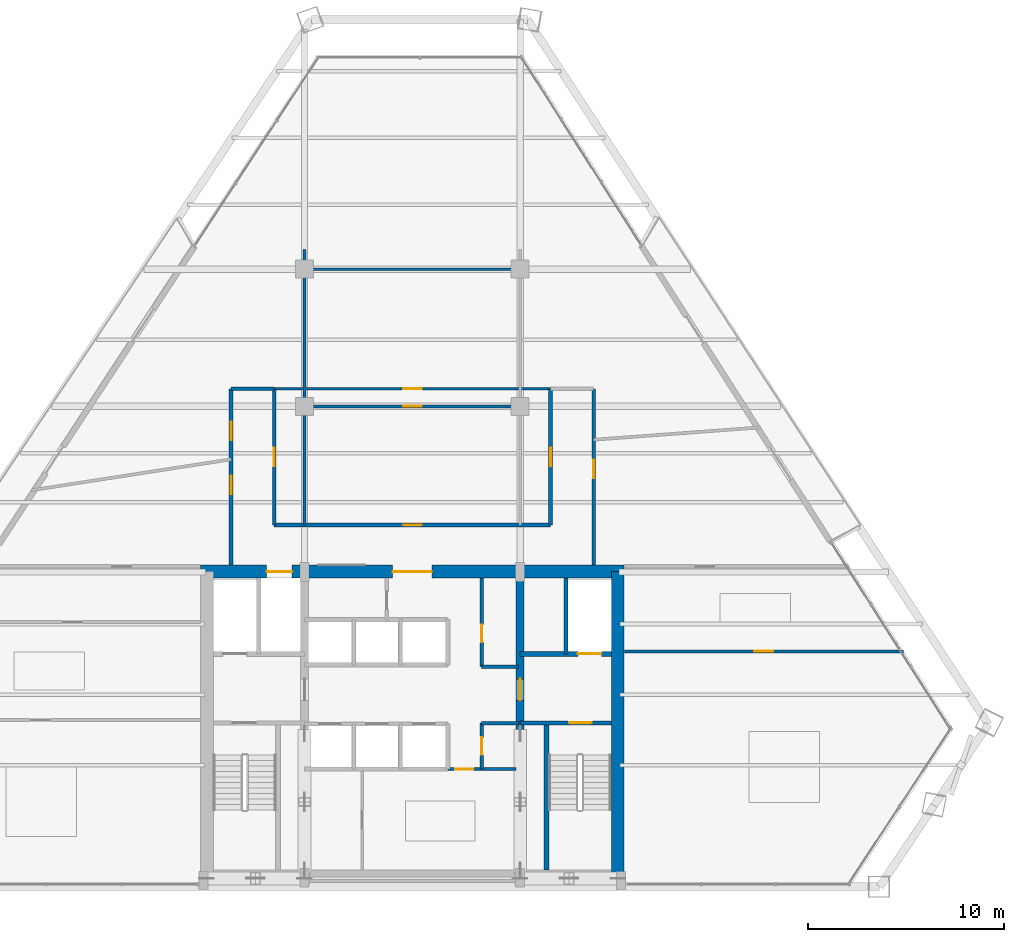
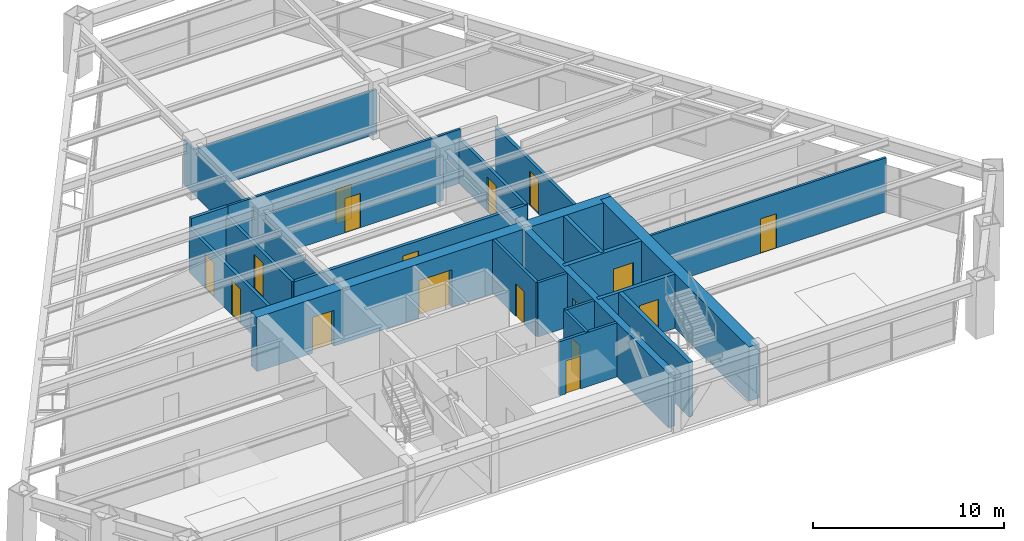
# One storey, part 11 of 14: 23 walls, 17 doors, 17 openings.
"""IFC4 building model written with IfcOpenShell, lengths in metres."""

import ifcopenshell
import ifcopenshell.guid

model = None  # the IFC model being written
_history = None  # IfcOwnerHistory: only IFC2X3 demands one
_inside = {}  # id of a spatial element -> (the spatial element, [elements in it])
_under = {}  # id of a project, library or spatial element -> (it, [spatial elements below it])
_declared = {}  # id of a project -> (the project, [libraries it declares])
_typed = {}  # id of a type object -> (the type object, [elements of that type])
_made_of = {}  # id of a material, layer set ... -> (it, [elements and type objects made of it])


def new_model(schema):
    """Start an empty IFC model of exactly this schema.

    Asked for "IFC4X3", IfcOpenShell would pick the latest addendum, in which some entities
    have other attributes; the version numbers below select the first issue.
    IFC2X3 requires an IfcOwnerHistory on every rooted entity: one is made here for all.
    """
    global model, _history
    if schema == "IFC4X3":
        model = ifcopenshell.file(schema_version=(4, 3, 0, 0))
    else:
        model = ifcopenshell.file(schema=schema)
    _inside.clear()
    _under.clear()
    _declared.clear()
    _typed.clear()
    _made_of.clear()
    _history = None
    if model.schema == "IFC2X3":
        org = make("IfcOrganization", Name="unknown")
        user = make(
            "IfcPersonAndOrganization",
            ThePerson=make("IfcPerson", FamilyName="unknown"),
            TheOrganization=org,
        )
        app = make(
            "IfcApplication",
            ApplicationDeveloper=org,
            Version="unknown",
            ApplicationFullName="unknown",
            ApplicationIdentifier="unknown",
        )
        _history = make(
            "IfcOwnerHistory",
            OwningUser=user,
            OwningApplication=app,
            ChangeAction="ADDED",
            CreationDate=0,
        )
    return model


def make(cls, **values):
    """One entity of the class cls with the attributes given. An attribute that is None is left unset."""
    return model.create_entity(
        cls, **{name: value for name, value in values.items() if value is not None}
    )


def rooted(cls, **values):
    """An entity with a GlobalId (a new one), such as an element, a storey or a relation."""
    return make(cls, GlobalId=ifcopenshell.guid.new(), OwnerHistory=_history, **values)


def si_unit(unit_type, name, prefix=None):
    """IfcSIUnit, for example si_unit("LENGTHUNIT", "METRE", prefix="MILLI")."""
    return make("IfcSIUnit", UnitType=unit_type, Prefix=prefix, Name=name)


def assignment(units):
    """IfcUnitAssignment: the units of a project."""
    return None if units is None else make("IfcUnitAssignment", Units=units)


def point(xyz):
    """IfcCartesianPoint."""
    return None if xyz is None else make("IfcCartesianPoint", Coordinates=xyz)


def direction(xyz):
    """IfcDirection."""
    return None if xyz is None else make("IfcDirection", DirectionRatios=xyz)


def frame(location, z_axis=None, x_axis=None):
    """IfcAxis2Placement3D, a coordinate frame: its origin and axes. An axis left out is left unset."""
    return make(
        "IfcAxis2Placement3D",
        Location=point(location),
        Axis=direction(z_axis),
        RefDirection=direction(x_axis),
    )


def frame_2d(location, x_axis=None):
    """IfcAxis2Placement2D, a coordinate frame in the plane: its origin and x axis."""
    return make(
        "IfcAxis2Placement2D", Location=point(location), RefDirection=direction(x_axis)
    )


def origin():
    """The frame at (0, 0, 0) with its axes left unset."""
    return frame((0.0, 0.0, 0.0))


def place(relative_to, where):
    """IfcLocalPlacement: puts the frame where relative to a parent placement (None: the world)."""
    return make(
        "IfcLocalPlacement", PlacementRelTo=relative_to, RelativePlacement=where
    )


def context(
    kind, dimensions, precision=None, world=None, true_north=None, identifier=None
):
    """IfcGeometricRepresentationContext, for example the 3D "Model" context."""
    return make(
        "IfcGeometricRepresentationContext",
        ContextIdentifier=identifier,
        ContextType=kind,
        CoordinateSpaceDimension=dimensions,
        Precision=precision,
        WorldCoordinateSystem=world,
        TrueNorth=true_north,
    )


def subcontext(parent, identifier, kind, view, scale=None):
    """IfcGeometricRepresentationSubContext, for example "Body" below "Model"."""
    return make(
        "IfcGeometricRepresentationSubContext",
        ContextIdentifier=identifier,
        ContextType=kind,
        ParentContext=parent,
        TargetScale=scale,
        TargetView=view,
    )


def project(units=None, contexts=None):
    """IfcProject with its units and contexts."""
    return rooted(
        "IfcProject",
        Name="project",
        RepresentationContexts=contexts,
        UnitsInContext=assignment(units),
    )


def spatial(cls, under=None, at=None, **own):
    """A site, building, storey or space (cls), placed at a placement, below another one or the project."""
    s = rooted(cls, ObjectPlacement=at, **own)
    if under is not None:
        _under.setdefault(under.id(), (under, []))[1].append(s)
    return s


def profile(cls, at=None, kind="AREA", **sizes):
    """A parametric profile (cls). Its sizes go by their IFC names, for example OverallWidth=200.0."""
    return make(cls, ProfileType=kind, Position=at, **sizes)


def rectangle(**sizes):
    """IfcRectangleProfileDef."""
    return profile("IfcRectangleProfileDef", **sizes)


def extrude(swept, where, along, depth):
    """IfcExtrudedAreaSolid: the profile swept, set in the frame where, extruded along a direction by depth."""
    return make(
        "IfcExtrudedAreaSolid",
        SweptArea=swept,
        Position=where,
        ExtrudedDirection=direction(along),
        Depth=depth,
    )


def shape(context_of_items, identifier, shape_type, items):
    """IfcShapeRepresentation: the items that make up one representation, for example the "Body"."""
    return make(
        "IfcShapeRepresentation",
        ContextOfItems=context_of_items,
        RepresentationIdentifier=identifier,
        RepresentationType=shape_type,
        Items=items,
    )


def source(mapping_origin, context_of_items, identifier, shape_type, items):
    """IfcRepresentationMap: a shape defined once, which mapped items show again and again."""
    return make(
        "IfcRepresentationMap",
        MappingOrigin=mapping_origin,
        MappedRepresentation=shape(context_of_items, identifier, shape_type, items),
    )


def transform(
    local_origin,
    x_axis=None,
    y_axis=None,
    z_axis=None,
    scale=None,
    scale2=None,
    scale3=None,
    uniform=True,
):
    """IfcCartesianTransformationOperator3D, or its non-uniform kind. x_axis, y_axis, z_axis: its Axis1, 2, 3."""
    if uniform:
        return make(
            "IfcCartesianTransformationOperator3D",
            Axis1=direction(x_axis),
            Axis2=direction(y_axis),
            LocalOrigin=point(local_origin),
            Scale=scale,
            Axis3=direction(z_axis),
        )
    return make(
        "IfcCartesianTransformationOperator3DnonUniform",
        Axis1=direction(x_axis),
        Axis2=direction(y_axis),
        LocalOrigin=point(local_origin),
        Scale=scale,
        Axis3=direction(z_axis),
        Scale2=scale2,
        Scale3=scale3,
    )


def mapped(mapping_source, mapping_target):
    """IfcMappedItem: shows the shape of a source again, moved by a transform."""
    return make(
        "IfcMappedItem", MappingSource=mapping_source, MappingTarget=mapping_target
    )


def material(Name=None, Category=None):
    """IfcMaterial."""
    return make("IfcMaterial", Name=Name, Category=Category)


def layer(
    of_material, thickness, ventilated=None, Name=None, Category=None, Priority=None
):
    """IfcMaterialLayer: one layer of a wall or slab, of a material (None: an air gap)."""
    return make(
        "IfcMaterialLayer",
        Material=of_material,
        LayerThickness=thickness,
        IsVentilated=ventilated,
        Name=Name,
        Category=Category,
        Priority=Priority,
    )


def layer_set(layers, Name=None):
    """IfcMaterialLayerSet."""
    return make("IfcMaterialLayerSet", MaterialLayers=layers, LayerSetName=Name)


def made_of(thing, what):
    """Note that an element or type object is made of a material, layer set ...; save() writes the relation."""
    if what is not None:
        _made_of.setdefault(what.id(), (what, []))[1].append(thing)
    return thing


def type_object(cls, material=None, **own):
    """A type object (cls), such as IfcWallType, which elements share."""
    return made_of(rooted(cls, **own), material)


def type_shapes(of_type, sources):
    """Give a type object the sources (RepresentationMaps) that its elements show as mapped items."""
    of_type.RepresentationMaps = sources


def element(
    cls,
    number,
    at=None,
    inside=None,
    cuts=None,
    type_object=None,
    material=None,
    context=None,
    identifier="Body",
    shape_type=None,
    held_by="IfcProductDefinitionShape",
    body=None,
    shapes=None,
    **own,
):
    """One element of the class cls, such as IfcWall. Its Tag is "e" and its number.

    at: its placement. inside: the storey or other place that contains it. cuts: it is an
    opening in that element (IfcRelVoidsElement). A single representation is given by context,
    identifier, shape_type and body (its items); several are given by shapes. held_by: the class
    of the entity that holds the representations. save() writes the other relations.
    """
    e = rooted(cls, Tag="e%d" % number, ObjectPlacement=at, **own)
    if body is not None:
        shapes = [shape(context, identifier, shape_type, body)]
    if shapes is not None:
        e.Representation = make(held_by, Representations=shapes)
    if inside is not None:
        _inside.setdefault(inside.id(), (inside, []))[1].append(e)
    if cuts is not None:
        rooted(
            "IfcRelVoidsElement", RelatingBuildingElement=cuts, RelatedOpeningElement=e
        )
    if type_object is not None:
        _typed.setdefault(type_object.id(), (type_object, []))[1].append(e)
    return made_of(e, material)


def fill(opening, filler):
    """IfcRelFillsElement: the door or window that sits in an opening."""
    return rooted(
        "IfcRelFillsElement",
        RelatingOpeningElement=opening,
        RelatedBuildingElement=filler,
    )


def aggregate(whole, parts):
    """IfcRelAggregates: a whole, such as a stair, and the parts it consists of."""
    return rooted("IfcRelAggregates", RelatingObject=whole, RelatedObjects=parts)


def save(model, path):
    """Write the relations noted so far, then the file.

    IfcRelAggregates (storeys below a building ...), IfcRelContainedInSpatialStructure (elements
    in a storey), IfcRelDefinesByType, IfcRelAssociatesMaterial and IfcRelDeclares: one each for
    every whole, place, type object, material and project.
    """
    for whole, parts in _under.values():
        aggregate(whole, parts)
    for where, things in _inside.values():
        rooted(
            "IfcRelContainedInSpatialStructure",
            RelatedElements=things,
            RelatingStructure=where,
        )
    for kind, things in _typed.values():
        rooted("IfcRelDefinesByType", RelatedObjects=things, RelatingType=kind)
    for what, things in _made_of.values():
        rooted("IfcRelAssociatesMaterial", RelatedObjects=things, RelatingMaterial=what)
    for by, libraries in _declared.values():
        rooted("IfcRelDeclares", RelatingContext=by, RelatedDefinitions=libraries)
    model.write(path)


model = new_model("IFC4")

# Units and contexts
model_context = context("Model", 3, precision=1e-05, world=origin(), true_north=direction((0.0, 1.0)))
body_context = subcontext(model_context, "Body", "Model", "MODEL_VIEW")
ifc_project = project(units=[si_unit("LENGTHUNIT", "METRE"), si_unit("AREAUNIT", "SQUARE_METRE"), si_unit("VOLUMEUNIT", "CUBIC_METRE"), si_unit("PLANEANGLEUNIT", "RADIAN"), si_unit("MASSUNIT", "GRAM", prefix="KILO")], contexts=[model_context])

# Site, building, storey
site_placement = place(None, origin())
site = spatial("IfcSite", under=ifc_project, at=site_placement, CompositionType="ELEMENT")
building_placement = place(site_placement, origin())
building = spatial("IfcBuilding", under=site, at=building_placement, Name="Varnakhor Terracotta Tower", CompositionType="ELEMENT")
storey_placement = place(building_placement, frame((0.0, 0.0, 129.300048828125)))
storey = spatial("IfcBuildingStorey", under=building, at=storey_placement, Name="L32", CompositionType="ELEMENT", Elevation=129.300048828125)

# Wall, openings, doors
ifc_material_1 = material(Name="Concrete C50/60", Category="concrete")
ifc_layer_1 = layer(ifc_material_1, 0.64990234375, Name="Concrete C50/60")
ifc_layer_set_1 = layer_set([ifc_layer_1], Name="Concrete C50/60")
wall_type_1 = type_object("IfcWallType", Name="WAL-CORE-650", PredefinedType="SHEAR", material=ifc_layer_set_1)
wall_1_placement = place(storey_placement, frame((-10.800048828125, 16.074951171875, 0.0), z_axis=(0.0, 0.0, 1.0), x_axis=(1.0, 0.0, 0.0)))
wall_1 = element("IfcWall", 1, at=wall_1_placement, inside=storey, type_object=wall_type_1, Name="L32 North Core Shear Wall", PredefinedType="SHEAR", context=body_context, shape_type="SweptSolid", body=[
    extrude(rectangle(XDim=21.60009765625, YDim=0.64990234375, at=frame_2d((10.800048828125, 0.0))), origin(), (0.0, 0.0, 1.0), 3.469970703125),
])
opening_1_placement = place(wall_1_placement, frame((3.3701171875, 0.0, 0.0)))
opening_1 = element("IfcOpeningElement", 2, at=opening_1_placement, cuts=wall_1, Name="Opening LD-03", PredefinedType="OPENING", context=body_context, shape_type="SweptSolid", body=[
    extrude(rectangle(XDim=1.300048828125, YDim=2.300048828125, at=frame_2d((0.64990234375, 1.14990234375))), frame((0.0, 0.3349609375, 0.0), z_axis=(0.0, -1.0, 0.0), x_axis=(1.0, 0.0, 0.0)), (0.0, 0.0, 1.0), 0.669921875),
])
opening_2_placement = place(wall_1_placement, frame((9.800048828125, 0.0, 0.0)))
opening_2 = element("IfcOpeningElement", 3, at=opening_2_placement, cuts=wall_1, Name="Opening DR-32", PredefinedType="OPENING", context=body_context, shape_type="SweptSolid", body=[
    extrude(rectangle(XDim=2.0, YDim=2.39990234375, at=frame_2d((1.0, 1.199951171875))), frame((0.0, 0.3349609375, 0.0), z_axis=(0.0, -1.0, 0.0), x_axis=(1.0, 0.0, 0.0)), (0.0, 0.0, 1.0), 0.669921875),
])
ifc_material_2 = material(Name="Heavy-Duty Goods Sliding Lift Landing Door", Category="steel")
door_type_1 = type_object("IfcDoorType", Name="LD-SRV-1300X2300", OperationType="NOTDEFINED", PredefinedType="DOOR", material=ifc_material_2)
shared_shape_1 = source(origin(), body_context, "Body", "SweptSolid", [
    extrude(rectangle(XDim=1.300048828125, YDim=2.300048828125, at=frame_2d((0.64990234375, 1.14990234375))), frame((0.0, 0.02490234375, 0.0), z_axis=(0.0, -1.0, 0.0), x_axis=(1.0, 0.0, 0.0)), (0.0, 0.0, 1.0), 0.050048828125),
])
type_shapes(door_type_1, [shared_shape_1])
door_1_placement = place(opening_1_placement, origin())
door_1 = element("IfcDoor", 4, at=door_1_placement, inside=storey, type_object=door_type_1, Name="L32 Service Lift SVL-1 Landing Door", OperationType="SLIDING_TO_RIGHT", OverallHeight=2.300048828125, OverallWidth=1.300048828125, PredefinedType="DOOR", context=body_context, shape_type="MappedRepresentation", body=[
    mapped(shared_shape_1, transform((0.0, 0.0, 0.0), scale=1.0)),
])
fill(opening_1, door_1)
ifc_material_3 = material(Name="Acoustic Double Assembly Fire Door", Category="wood")
door_type_2 = type_object("IfcDoorType", Name="DR-HALL-2000X2400", OperationType="NOTDEFINED", PredefinedType="DOOR", material=ifc_material_3)
shared_shape_2 = source(origin(), body_context, "Body", "SweptSolid", [
    extrude(rectangle(XDim=2.0, YDim=2.39990234375, at=frame_2d((1.0, 1.199951171875))), frame((0.0, 0.02490234375, 0.0), z_axis=(0.0, -1.0, 0.0), x_axis=(1.0, 0.0, 0.0)), (0.0, 0.0, 1.0), 0.050048828125),
])
type_shapes(door_type_2, [shared_shape_2])
door_2_placement = place(opening_2_placement, origin())
door_2 = element("IfcDoor", 5, at=door_2_placement, inside=storey, type_object=door_type_2, Name="L32 Core Main Lobby Double Door", OperationType="DOUBLE_DOOR_SINGLE_SWING", OverallHeight=2.39990234375, OverallWidth=2.0, PredefinedType="DOOR", context=body_context, shape_type="MappedRepresentation", body=[
    mapped(shared_shape_2, transform((0.0, 0.0, 0.0), scale=1.0)),
])
fill(opening_2, door_2)

# Wall
wall_2_placement = place(storey_placement, frame((10.47509765625, 0.52490234375, 0.0), z_axis=(0.0, 0.0, 1.0), x_axis=(0.0, 1.0, 0.0)))
element("IfcWall", 6, at=wall_2_placement, inside=storey, type_object=wall_type_1, Name="L32 East Core Shear Wall", PredefinedType="SHEAR", context=body_context, shape_type="SweptSolid", body=[
    extrude(rectangle(XDim=15.550048828125, YDim=0.64990234375, at=frame_2d((7.77490234375, 0.0))), origin(), (0.0, 0.0, 1.0), 3.469970703125),
])

# Wall, opening, door
ifc_layer_2 = layer(ifc_material_1, 0.39990234375, Name="Concrete C50/60")
ifc_layer_set_2 = layer_set([ifc_layer_2], Name="Concrete C50/60")
wall_type_2 = type_object("IfcWallType", Name="WAL-CORE-WEB-400", PredefinedType="SHEAR", material=ifc_layer_set_2)
wall_3_placement = place(storey_placement, frame((5.5, 0.52490234375, 0.0), z_axis=(0.0, 0.0, 1.0), x_axis=(0.0, 1.0, 0.0)))
wall_3 = element("IfcWall", 7, at=wall_3_placement, inside=storey, type_object=wall_type_2, Name="L32 East Core Web Shear Wall", PredefinedType="SHEAR", context=body_context, shape_type="SweptSolid", body=[
    extrude(rectangle(XDim=15.550048828125, YDim=0.39990234375, at=frame_2d((7.77490234375, 0.0))), origin(), (0.0, 0.0, 1.0), 3.469970703125),
])
opening_3_placement = place(wall_3_placement, frame((8.97509765625, 0.0, 0.0)))
opening_3 = element("IfcOpeningElement", 8, at=opening_3_placement, cuts=wall_3, Name="Opening DR-25", PredefinedType="OPENING", context=body_context, shape_type="SweptSolid", body=[
    extrude(rectangle(XDim=1.10009765625, YDim=2.199951171875, at=frame_2d((0.550048828125, 1.10009765625))), frame((0.0, 0.2099609375, 0.0), z_axis=(0.0, -1.0, 0.0), x_axis=(1.0, 0.0, 0.0)), (0.0, 0.0, 1.0), 0.419921875),
])
ifc_material_4 = material(Name="Firefighting Lobby Self-Closing Fire Door", Category="steel")
door_type_3 = type_object("IfcDoorType", Name="DR-FFL-1100X2200", OperationType="NOTDEFINED", PredefinedType="DOOR", material=ifc_material_4)
shared_shape_3 = source(origin(), body_context, "Body", "SweptSolid", [
    extrude(rectangle(XDim=1.10009765625, YDim=2.199951171875, at=frame_2d((0.550048828125, 1.10009765625))), frame((0.0, 0.02490234375, 0.0), z_axis=(0.0, -1.0, 0.0), x_axis=(1.0, 0.0, 0.0)), (0.0, 0.0, 1.0), 0.050048828125),
])
type_shapes(door_type_3, [shared_shape_3])
door_3_placement = place(opening_3_placement, origin())
door_3 = element("IfcDoor", 9, at=door_3_placement, inside=storey, type_object=door_type_3, Name="L32 East Firefighting Lobby Door", OperationType="SINGLE_SWING_RIGHT", OverallHeight=2.199951171875, OverallWidth=1.10009765625, PredefinedType="DOOR", context=body_context, shape_type="MappedRepresentation", body=[
    mapped(shared_shape_3, transform((0.0, 0.0, 0.0), scale=1.0)),
])
fill(opening_3, door_3)

ifc_material_5 = material(Name="Fire-Rated Gypsum Stud Partition", Category="gypsum")
ifc_layer_3 = layer(ifc_material_5, 0.18505859375, Name="Fire-Rated Gypsum Stud Partition")
ifc_layer_set_3 = layer_set([ifc_layer_3], Name="Fire-Rated Gypsum Stud Partition")
wall_type_3 = type_object("IfcWallType", Name="WAL-CORR-185", PredefinedType="PARTITIONING", material=ifc_layer_set_3)
wall_4_placement = place(storey_placement, frame((-7.050048828125, 18.449951171875, 0.0), z_axis=(0.0, 0.0, 1.0), x_axis=(1.0, 0.0, 0.0)))
wall_4 = element("IfcWall", 10, at=wall_4_placement, inside=storey, type_object=wall_type_3, Name="L32 Central Gallery Link Wall", PredefinedType="PARTITIONING", context=body_context, shape_type="SweptSolid", body=[
    extrude(rectangle(XDim=14.10009765625, YDim=0.18505859375, at=frame_2d((7.050048828125, 0.0))), origin(), (0.0, 0.0, 1.0), 2.845947265625),
])
opening_4_placement = place(wall_4_placement, frame((6.574951171875, 0.0, 0.0)))
opening_4 = element("IfcOpeningElement", 11, at=opening_4_placement, cuts=wall_4, Name="Opening DR-94", PredefinedType="OPENING", context=body_context, shape_type="SweptSolid", body=[
    extrude(rectangle(XDim=0.949951171875, YDim=2.199951171875, at=frame_2d((0.47509765625, 1.10009765625))), frame((0.0, 0.1025390625, 0.0), z_axis=(0.0, -1.0, 0.0), x_axis=(1.0, 0.0, 0.0)), (0.0, 0.0, 1.0), 0.205078125),
])
ifc_material_6 = material(Name="Acoustic Glazed-Vision Timber Office Door", Category="wood")
door_type_4 = type_object("IfcDoorType", Name="DR-OFF-950X2200", OperationType="NOTDEFINED", PredefinedType="DOOR", material=ifc_material_6)
shared_shape_4 = source(origin(), body_context, "Body", "SweptSolid", [
    extrude(rectangle(XDim=0.949951171875, YDim=2.199951171875, at=frame_2d((0.47509765625, 1.10009765625))), frame((0.0, 0.02490234375, 0.0), z_axis=(0.0, -1.0, 0.0), x_axis=(1.0, 0.0, 0.0)), (0.0, 0.0, 1.0), 0.050048828125),
])
type_shapes(door_type_4, [shared_shape_4])
door_4_placement = place(opening_4_placement, origin())
door_4 = element("IfcDoor", 12, at=door_4_placement, inside=storey, type_object=door_type_4, Name="L32 Center Suite Door", OperationType="SINGLE_SWING_RIGHT", OverallHeight=2.199951171875, OverallWidth=0.949951171875, PredefinedType="DOOR", context=body_context, shape_type="MappedRepresentation", body=[
    mapped(shared_shape_4, transform((0.0, 0.0, 0.0), scale=1.0)),
])
fill(opening_4, door_4)

wall_5_placement = place(storey_placement, frame((-7.050048828125, 18.449951171875, 0.0), z_axis=(0.0, 0.0, 1.0), x_axis=(0.0, 1.0, 0.0)))
wall_5 = element("IfcWall", 13, at=wall_5_placement, inside=storey, type_object=wall_type_3, Name="L32 West Gallery Inner Wall", PredefinedType="PARTITIONING", context=body_context, shape_type="SweptSolid", body=[
    extrude(rectangle(XDim=6.949951171875, YDim=0.18505859375, at=frame_2d((3.47509765625, 0.0))), origin(), (0.0, 0.0, 1.0), 2.845947265625),
])
opening_5_placement = place(wall_5_placement, frame((3.0, 0.0, 0.0)))
opening_5 = element("IfcOpeningElement", 14, at=opening_5_placement, cuts=wall_5, Name="Opening DR-94", PredefinedType="OPENING", context=body_context, shape_type="SweptSolid", body=[
    extrude(rectangle(XDim=0.949951171875, YDim=2.199951171875, at=frame_2d((0.47509765625, 1.10009765625))), frame((0.0, 0.1025390625, 0.0), z_axis=(0.0, -1.0, 0.0), x_axis=(1.0, 0.0, 0.0)), (0.0, 0.0, 1.0), 0.205078125),
])
door_5_placement = place(opening_5_placement, origin())
door_5 = element("IfcDoor", 15, at=door_5_placement, inside=storey, type_object=door_type_4, Name="L32 Corporate Office W1 B10 Door", OperationType="SINGLE_SWING_LEFT", OverallHeight=2.199951171875, OverallWidth=0.949951171875, PredefinedType="DOOR", context=body_context, shape_type="MappedRepresentation", body=[
    mapped(shared_shape_4, transform((0.0, 0.0, 0.0), scale=1.0)),
])
fill(opening_5, door_5)

wall_6_placement = place(storey_placement, frame((7.050048828125, 18.449951171875, 0.0), z_axis=(0.0, 0.0, 1.0), x_axis=(0.0, 1.0, 0.0)))
wall_6 = element("IfcWall", 16, at=wall_6_placement, inside=storey, type_object=wall_type_3, Name="L32 East Gallery Inner Wall", PredefinedType="PARTITIONING", context=body_context, shape_type="SweptSolid", body=[
    extrude(rectangle(XDim=6.949951171875, YDim=0.18505859375, at=frame_2d((3.47509765625, 0.0))), origin(), (0.0, 0.0, 1.0), 2.845947265625),
])
opening_6_placement = place(wall_6_placement, frame((3.0, 0.0, 0.0)))
opening_6 = element("IfcOpeningElement", 17, at=opening_6_placement, cuts=wall_6, Name="Opening DR-94", PredefinedType="OPENING", context=body_context, shape_type="SweptSolid", body=[
    extrude(rectangle(XDim=0.949951171875, YDim=2.199951171875, at=frame_2d((0.47509765625, 1.10009765625))), frame((0.0, 0.1025390625, 0.0), z_axis=(0.0, -1.0, 0.0), x_axis=(1.0, 0.0, 0.0)), (0.0, 0.0, 1.0), 0.205078125),
])
door_6_placement = place(opening_6_placement, origin())
door_6 = element("IfcDoor", 18, at=door_6_placement, inside=storey, type_object=door_type_4, Name="L32 Corporate Office W2 B11 Door", OperationType="SINGLE_SWING_RIGHT", OverallHeight=2.199951171875, OverallWidth=0.949951171875, PredefinedType="DOOR", context=body_context, shape_type="MappedRepresentation", body=[
    mapped(shared_shape_4, transform((0.0, 0.0, 0.0), scale=1.0)),
])
fill(opening_6, door_6)

# Wall, openings, doors
wall_7_placement = place(storey_placement, frame((-9.25, 16.39990234375, 0.0), z_axis=(0.0, 0.0, 1.0), x_axis=(0.0, 1.0, 0.0)))
wall_7 = element("IfcWall", 19, at=wall_7_placement, inside=storey, type_object=wall_type_3, Name="L32 West Gallery Outer Wall", PredefinedType="PARTITIONING", context=body_context, shape_type="SweptSolid", body=[
    extrude(rectangle(XDim=9.0, YDim=0.18505859375, at=frame_2d((4.5, 0.0))), origin(), (0.0, 0.0, 1.0), 2.845947265625),
])
opening_7_placement = place(wall_7_placement, frame((3.60888671875, 0.0, 0.0)))
opening_7 = element("IfcOpeningElement", 20, at=opening_7_placement, cuts=wall_7, Name="Opening DR-94", PredefinedType="OPENING", context=body_context, shape_type="SweptSolid", body=[
    extrude(rectangle(XDim=0.949951171875, YDim=2.199951171875, at=frame_2d((0.47509765625, 1.10009765625))), frame((0.0, 0.1025390625, 0.0), z_axis=(0.0, -1.0, 0.0), x_axis=(1.0, 0.0, 0.0)), (0.0, 0.0, 1.0), 0.205078125),
])
opening_8_placement = place(wall_7_placement, frame((6.367919921875, 0.0, 0.0)))
opening_8 = element("IfcOpeningElement", 21, at=opening_8_placement, cuts=wall_7, Name="Opening DR-94", PredefinedType="OPENING", context=body_context, shape_type="SweptSolid", body=[
    extrude(rectangle(XDim=0.949951171875, YDim=2.199951171875, at=frame_2d((0.47509765625, 1.10009765625))), frame((0.0, 0.1025390625, 0.0), z_axis=(0.0, -1.0, 0.0), x_axis=(1.0, 0.0, 0.0)), (0.0, 0.0, 1.0), 0.205078125),
])
door_7_placement = place(opening_7_placement, origin())
door_7 = element("IfcDoor", 22, at=door_7_placement, inside=storey, type_object=door_type_4, Name="L32 West Wing Door", OperationType="SINGLE_SWING_LEFT", OverallHeight=2.199951171875, OverallWidth=0.949951171875, PredefinedType="DOOR", context=body_context, shape_type="MappedRepresentation", body=[
    mapped(shared_shape_4, transform((0.0, 0.0, 0.0), scale=1.0)),
])
fill(opening_7, door_7)
door_8_placement = place(opening_8_placement, origin())
door_8 = element("IfcDoor", 23, at=door_8_placement, inside=storey, type_object=door_type_4, Name="L32 Tea Pantry Door", OperationType="SINGLE_SWING_RIGHT", OverallHeight=2.199951171875, OverallWidth=0.949951171875, PredefinedType="DOOR", context=body_context, shape_type="MappedRepresentation", body=[
    mapped(shared_shape_4, transform((0.0, 0.0, 0.0), scale=1.0)),
])
fill(opening_8, door_8)

# Wall, opening, door
wall_8_placement = place(storey_placement, frame((9.25, 16.39990234375, 0.0), z_axis=(0.0, 0.0, 1.0), x_axis=(0.0, 1.0, 0.0)))
wall_8 = element("IfcWall", 24, at=wall_8_placement, inside=storey, type_object=wall_type_3, Name="L32 East Gallery Outer Wall", PredefinedType="PARTITIONING", context=body_context, shape_type="SweptSolid", body=[
    extrude(rectangle(XDim=9.0, YDim=0.18505859375, at=frame_2d((4.5, 0.0))), origin(), (0.0, 0.0, 1.0), 2.845947265625),
])
opening_9_placement = place(wall_8_placement, frame((4.44091796875, 0.0, 0.0)))
opening_9 = element("IfcOpeningElement", 25, at=opening_9_placement, cuts=wall_8, Name="Opening DR-94", PredefinedType="OPENING", context=body_context, shape_type="SweptSolid", body=[
    extrude(rectangle(XDim=0.949951171875, YDim=2.199951171875, at=frame_2d((0.47509765625, 1.10009765625))), frame((0.0, 0.1025390625, 0.0), z_axis=(0.0, -1.0, 0.0), x_axis=(1.0, 0.0, 0.0)), (0.0, 0.0, 1.0), 0.205078125),
])
door_9_placement = place(opening_9_placement, origin())
door_9 = element("IfcDoor", 26, at=door_9_placement, inside=storey, type_object=door_type_4, Name="L32 East Wing Door", OperationType="SINGLE_SWING_RIGHT", OverallHeight=2.199951171875, OverallWidth=0.949951171875, PredefinedType="DOOR", context=body_context, shape_type="MappedRepresentation", body=[
    mapped(shared_shape_4, transform((0.0, 0.0, 0.0), scale=1.0)),
])
fill(opening_9, door_9)

# Wall
wall_9_placement = place(storey_placement, frame((-9.25, 25.39990234375, 0.0), z_axis=(0.0, 0.0, 1.0), x_axis=(1.0, 0.0, 0.0)))
element("IfcWall", 27, at=wall_9_placement, inside=storey, type_object=wall_type_3, Name="L32 West Gallery North End", PredefinedType="PARTITIONING", context=body_context, shape_type="SweptSolid", body=[
    extrude(rectangle(XDim=2.199951171875, YDim=0.18505859375, at=frame_2d((1.10009765625, 0.0))), origin(), (0.0, 0.0, 1.0), 3.4619140625),
])

# Wall, opening, door
ifc_material_7 = material(Name="Concrete C40/50", Category="concrete")
ifc_layer_4 = layer(ifc_material_7, 0.219970703125, Name="Concrete C40/50")
ifc_layer_set_4 = layer_set([ifc_layer_4], Name="Concrete C40/50")
wall_type_4 = type_object("IfcWallType", Name="WAL-FFLOBBY-220", PredefinedType="SOLIDWALL", material=ifc_layer_set_4)
wall_10_placement = place(storey_placement, frame((10.14990234375, 8.35009765625, 0.0), z_axis=(0.0, 0.0, 1.0), x_axis=(-1.0, 0.0, 0.0)))
wall_10 = element("IfcWall", 28, at=wall_10_placement, inside=storey, type_object=wall_type_4, Name="L32 East Firefighting Lobby Stair Wall", PredefinedType="SOLIDWALL", context=body_context, shape_type="SweptSolid", body=[
    extrude(rectangle(XDim=4.64990234375, YDim=0.219970703125, at=frame_2d((2.324951171875, 0.0))), origin(), (0.0, 0.0, 1.0), 3.469970703125),
])
opening_10_placement = place(wall_10_placement, frame((1.0, 0.0, 0.0)))
opening_10 = element("IfcOpeningElement", 29, at=opening_10_placement, cuts=wall_10, Name="Opening DR-34", PredefinedType="OPENING", context=body_context, shape_type="SweptSolid", body=[
    extrude(rectangle(XDim=1.14990234375, YDim=2.199951171875, at=frame_2d((0.574951171875, 1.10009765625))), frame((0.0, 0.1201171875, 0.0), z_axis=(0.0, -1.0, 0.0), x_axis=(1.0, 0.0, 0.0)), (0.0, 0.0, 1.0), 0.239990234375),
])
ifc_material_8 = material(Name="Self-Closing Smoke-Sealed Steel Fire Door", Category="steel")
door_type_5 = type_object("IfcDoorType", Name="DR-STAIR-1150X2200", OperationType="NOTDEFINED", PredefinedType="DOOR", material=ifc_material_8)
shared_shape_5 = source(origin(), body_context, "Body", "SweptSolid", [
    extrude(rectangle(XDim=1.14990234375, YDim=2.199951171875, at=frame_2d((0.574951171875, 1.10009765625))), frame((0.0, 0.02490234375, 0.0), z_axis=(0.0, -1.0, 0.0), x_axis=(1.0, 0.0, 0.0)), (0.0, 0.0, 1.0), 0.050048828125),
])
type_shapes(door_type_5, [shared_shape_5])
door_10_placement = place(opening_10_placement, origin())
door_10 = element("IfcDoor", 30, at=door_10_placement, inside=storey, type_object=door_type_5, Name="L32 Exit Stair ST-2 Fire Door", OperationType="SINGLE_SWING_LEFT", OverallHeight=2.199951171875, OverallWidth=1.14990234375, PredefinedType="DOOR", context=body_context, shape_type="MappedRepresentation", body=[
    mapped(shared_shape_5, transform((0.0, 0.0, 0.0), scale=1.0)),
])
fill(opening_10, door_10)

ifc_material_9 = material(Name="Acoustic Metal-Stud Partition", Category="gypsum")
ifc_layer_5 = layer(ifc_material_9, 0.139892578125, Name="Acoustic Metal-Stud Partition")
ifc_layer_set_5 = layer_set([ifc_layer_5], Name="Acoustic Metal-Stud Partition")
wall_type_5 = type_object("IfcWallType", Name="WAL-PART-140", PredefinedType="PARTITIONING", material=ifc_layer_set_5)
wall_11_placement = place(storey_placement, frame((-7.050048828125, 25.39990234375, 0.0), z_axis=(0.0, 0.0, 1.0), x_axis=(1.0, 0.0, 0.0)))
wall_11 = element("IfcWall", 31, at=wall_11_placement, inside=storey, type_object=wall_type_5, Name="L32 Gallery Center Cap Wall", PredefinedType="PARTITIONING", context=body_context, shape_type="SweptSolid", body=[
    extrude(rectangle(XDim=14.10009765625, YDim=0.139892578125, at=frame_2d((7.050048828125, 0.0))), origin(), (0.0, 0.0, 1.0), 3.4619140625),
])
opening_11_placement = place(wall_11_placement, frame((6.574951171875, 0.0, 0.0)))
opening_11 = element("IfcOpeningElement", 32, at=opening_11_placement, cuts=wall_11, Name="Opening DR-94", PredefinedType="OPENING", context=body_context, shape_type="SweptSolid", body=[
    extrude(rectangle(XDim=0.949951171875, YDim=2.199951171875, at=frame_2d((0.47509765625, 1.10009765625))), frame((0.0, 0.080078125, 0.0), z_axis=(0.0, -1.0, 0.0), x_axis=(1.0, 0.0, 0.0)), (0.0, 0.0, 1.0), 0.159912109375),
])
door_11_placement = place(opening_11_placement, origin())
door_11 = element("IfcDoor", 33, at=door_11_placement, inside=storey, type_object=door_type_4, Name="L32 Corporate Office E2 B13 Door", OperationType="SINGLE_SWING_RIGHT", OverallHeight=2.199951171875, OverallWidth=0.949951171875, PredefinedType="DOOR", context=body_context, shape_type="MappedRepresentation", body=[
    mapped(shared_shape_4, transform((0.0, 0.0, 0.0), scale=1.0)),
])
fill(opening_11, door_11)

# Wall
wall_12_placement = place(storey_placement, frame((-5.5, 18.449951171875, 0.0), z_axis=(0.0, 0.0, 1.0), x_axis=(0.0, 1.0, 0.0)))
element("IfcWall", 34, at=wall_12_placement, inside=storey, type_object=wall_type_5, Name="L32 Center West Column Wall", PredefinedType="PARTITIONING", context=body_context, shape_type="SweptSolid", body=[
    extrude(rectangle(XDim=14.050048828125, YDim=0.139892578125, at=frame_2d((7.02490234375, 0.0))), origin(), (0.0, 0.0, 1.0), 2.845947265625),
])

# Wall, opening, door
wall_13_placement = place(storey_placement, frame((-5.5, 24.5, 0.0), z_axis=(0.0, 0.0, 1.0), x_axis=(1.0, 0.0, 0.0)))
wall_13 = element("IfcWall", 35, at=wall_13_placement, inside=storey, type_object=wall_type_5, Name="L32 Center Cross Cut 1", PredefinedType="PARTITIONING", context=body_context, shape_type="SweptSolid", body=[
    extrude(rectangle(XDim=11.0, YDim=0.139892578125, at=frame_2d((5.5, 0.0))), origin(), (0.0, 0.0, 1.0), 2.845947265625),
])
opening_12_placement = place(wall_13_placement, frame((5.02490234375, 0.0, 0.0)))
opening_12 = element("IfcOpeningElement", 36, at=opening_12_placement, cuts=wall_13, Name="Opening DR-94", PredefinedType="OPENING", context=body_context, shape_type="SweptSolid", body=[
    extrude(rectangle(XDim=0.949951171875, YDim=2.199951171875, at=frame_2d((0.47509765625, 1.10009765625))), frame((0.0, 0.080078125, 0.0), z_axis=(0.0, -1.0, 0.0), x_axis=(1.0, 0.0, 0.0)), (0.0, 0.0, 1.0), 0.159912109375),
])
door_12_placement = place(opening_12_placement, origin())
door_12 = element("IfcDoor", 37, at=door_12_placement, inside=storey, type_object=door_type_4, Name="L32 Executive Office N1 Door", OperationType="SINGLE_SWING_LEFT", OverallHeight=2.199951171875, OverallWidth=0.949951171875, PredefinedType="DOOR", context=body_context, shape_type="MappedRepresentation", body=[
    mapped(shared_shape_4, transform((0.0, 0.0, 0.0), scale=1.0)),
])
fill(opening_12, door_12)

# Wall
wall_14_placement = place(storey_placement, frame((-5.5, 31.5, 0.0), z_axis=(0.0, 0.0, 1.0), x_axis=(1.0, 0.0, 0.0)))
element("IfcWall", 38, at=wall_14_placement, inside=storey, type_object=wall_type_5, Name="L32 Center Cross Cut 2", PredefinedType="PARTITIONING", context=body_context, shape_type="SweptSolid", body=[
    extrude(rectangle(XDim=11.0, YDim=0.139892578125, at=frame_2d((5.5, 0.0))), origin(), (0.0, 0.0, 1.0), 2.845947265625),
])

# Wall, opening, door
wall_15_placement = place(storey_placement, frame((10.820068359375, 12.0, 0.0), z_axis=(0.0, 0.0, 1.0), x_axis=(1.0, 0.0, 0.0)))
wall_15 = element("IfcWall", 39, at=wall_15_placement, inside=storey, type_object=wall_type_5, Name="L32 East Wing Cut 1", PredefinedType="PARTITIONING", context=body_context, shape_type="SweptSolid", body=[
    extrude(rectangle(XDim=14.2392578125, YDim=0.139892578125, at=frame_2d((7.11962890625, 0.0))), origin(), (0.0, 0.0, 1.0), 3.4619140625),
])
opening_13_placement = place(wall_15_placement, frame((6.636474609375, 0.0, 0.0)))
opening_13 = element("IfcOpeningElement", 40, at=opening_13_placement, cuts=wall_15, Name="Opening DR-94", PredefinedType="OPENING", context=body_context, shape_type="SweptSolid", body=[
    extrude(rectangle(XDim=0.949951171875, YDim=2.199951171875, at=frame_2d((0.47509765625, 1.10009765625))), frame((0.0, 0.080078125, 0.0), z_axis=(0.0, -1.0, 0.0), x_axis=(1.0, 0.0, 0.0)), (0.0, 0.0, 1.0), 0.159912109375),
])
door_13_placement = place(opening_13_placement, origin())
door_13 = element("IfcDoor", 41, at=door_13_placement, inside=storey, type_object=door_type_4, Name="L32 Corporate Office W1 SE Door", OperationType="SINGLE_SWING_LEFT", OverallHeight=2.199951171875, OverallWidth=0.949951171875, PredefinedType="DOOR", context=body_context, shape_type="MappedRepresentation", body=[
    mapped(shared_shape_4, transform((0.0, 0.0, 0.0), scale=1.0)),
])
fill(opening_13, door_13)

# Walls
ifc_layer_6 = layer(ifc_material_7, 0.219970703125, Name="Concrete C40/50")
ifc_layer_set_6 = layer_set([ifc_layer_6], Name="Concrete C40/50")
wall_type_6 = type_object("IfcWallType", Name="WAL-SHAFT-220", PredefinedType="SOLIDWALL", material=ifc_layer_set_6)
wall_16_placement = place(storey_placement, frame((7.840087890625, 11.8701171875, 0.0), z_axis=(0.0, 0.0, 1.0), x_axis=(0.0, 1.0, 0.0)))
element("IfcWall", 42, at=wall_16_placement, inside=storey, type_object=wall_type_6, Name="L32 Lift FFL-2 and Riser Divider Wall", PredefinedType="SOLIDWALL", context=body_context, shape_type="SweptSolid", body=[
    extrude(rectangle(XDim=3.8798828125, YDim=0.219970703125, at=frame_2d((1.93994140625, 0.0))), origin(), (0.0, 0.0, 1.0), 3.469970703125),
])
ifc_layer_7 = layer(ifc_material_7, 0.25, Name="Concrete C40/50")
ifc_layer_set_7 = layer_set([ifc_layer_7], Name="Concrete C40/50")
wall_type_7 = type_object("IfcWallType", Name="WAL-SHAFT-250", PredefinedType="SOLIDWALL", material=ifc_layer_set_7)
wall_17_placement = place(storey_placement, frame((6.85009765625, 0.85009765625, 0.0), z_axis=(0.0, 0.0, 1.0), x_axis=(0.0, 1.0, 0.0)))
element("IfcWall", 43, at=wall_17_placement, inside=storey, type_object=wall_type_7, Name="L32 Stair ST-2 Bearing Shaft Wall", PredefinedType="SOLIDWALL", context=body_context, shape_type="SweptSolid", body=[
    extrude(rectangle(XDim=7.5, YDim=0.25, at=frame_2d((3.75, 0.0))), origin(), (0.0, 0.0, 1.0), 3.469970703125),
])

# Wall, opening, door
wall_18_placement = place(storey_placement, frame((10.14990234375, 11.8701171875, 0.0), z_axis=(0.0, 0.0, 1.0), x_axis=(-1.0, 0.0, 0.0)))
wall_18 = element("IfcWall", 44, at=wall_18_placement, inside=storey, type_object=wall_type_7, Name="L32 Lift FFL-2 Shaft Front Wall", PredefinedType="SOLIDWALL", context=body_context, shape_type="SweptSolid", body=[
    extrude(rectangle(XDim=4.64990234375, YDim=0.25, at=frame_2d((2.324951171875, 0.0))), origin(), (0.0, 0.0, 1.0), 3.469970703125),
])
opening_14_placement = place(wall_18_placement, frame((0.5, 0.0, 0.0)))
opening_14 = element("IfcOpeningElement", 45, at=opening_14_placement, cuts=wall_18, Name="Opening LD-02", PredefinedType="OPENING", context=body_context, shape_type="SweptSolid", body=[
    extrude(rectangle(XDim=1.199951171875, YDim=2.25, at=frame_2d((0.60009765625, 1.125))), frame((0.0, 0.135009765625, 0.0), z_axis=(0.0, -1.0, 0.0), x_axis=(1.0, 0.0, 0.0)), (0.0, 0.0, 1.0), 0.27001953125),
])
ifc_material_10 = material(Name="Firefighting Stretcher Sliding Lift Landing Door", Category="steel")
door_type_6 = type_object("IfcDoorType", Name="LD-FFL-1200X2250", OperationType="NOTDEFINED", PredefinedType="DOOR", material=ifc_material_10)
shared_shape_6 = source(origin(), body_context, "Body", "SweptSolid", [
    extrude(rectangle(XDim=1.199951171875, YDim=2.25, at=frame_2d((0.60009765625, 1.125))), frame((0.0, 0.02490234375, 0.0), z_axis=(0.0, -1.0, 0.0), x_axis=(1.0, 0.0, 0.0)), (0.0, 0.0, 1.0), 0.050048828125),
])
type_shapes(door_type_6, [shared_shape_6])
door_14_placement = place(opening_14_placement, origin())
door_14 = element("IfcDoor", 46, at=door_14_placement, inside=storey, type_object=door_type_6, Name="L32 Firefighting Lift FFL-2 Landing Door", OperationType="SLIDING_TO_RIGHT", OverallHeight=2.25, OverallWidth=1.199951171875, PredefinedType="DOOR", context=body_context, shape_type="MappedRepresentation", body=[
    mapped(shared_shape_6, transform((0.0, 0.0, 0.0), scale=1.0)),
])
fill(opening_14, door_14)

ifc_material_11 = material(Name="Acoustic Fire-Rated Partition", Category="gypsum")
ifc_layer_8 = layer(ifc_material_11, 0.1650390625, Name="Acoustic Fire-Rated Partition")
ifc_layer_set_8 = layer_set([ifc_layer_8], Name="Acoustic Fire-Rated Partition")
wall_type_8 = type_object("IfcWallType", Name="WAL-TENANCY-165", PredefinedType="PARTITIONING", material=ifc_layer_set_8)
wall_19_placement = place(storey_placement, frame((1.820068359375, 6.0, 0.0), z_axis=(0.0, 0.0, 1.0), x_axis=(1.0, 0.0, 0.0)))
wall_19 = element("IfcWall", 47, at=wall_19_placement, inside=storey, type_object=wall_type_8, Name="L32 Reclaimed Core Bay North Rated Wall", PredefinedType="PARTITIONING", context=body_context, shape_type="SweptSolid", body=[
    extrude(rectangle(XDim=3.47998046875, YDim=0.1650390625, at=frame_2d((1.739990234375, 0.0))), origin(), (0.0, 0.0, 1.0), 3.4619140625),
])
opening_15_placement = place(wall_19_placement, frame((0.3798828125, 0.0, 0.0)))
opening_15 = element("IfcOpeningElement", 48, at=opening_15_placement, cuts=wall_19, Name="Opening DR-67", PredefinedType="OPENING", context=body_context, shape_type="SweptSolid", body=[
    extrude(rectangle(XDim=0.89990234375, YDim=2.10009765625, at=frame_2d((0.449951171875, 1.050048828125))), frame((0.0, 0.092529296875, 0.0), z_axis=(0.0, -1.0, 0.0), x_axis=(1.0, 0.0, 0.0)), (0.0, 0.0, 1.0), 0.18505859375),
])
ifc_material_12 = material(Name="Steel Service Riser Fire Door", Category="steel")
door_type_7 = type_object("IfcDoorType", Name="DR-RISER-900X2100", OperationType="NOTDEFINED", PredefinedType="DOOR", material=ifc_material_12)
shared_shape_7 = source(origin(), body_context, "Body", "SweptSolid", [
    extrude(rectangle(XDim=0.89990234375, YDim=2.10009765625, at=frame_2d((0.449951171875, 1.050048828125))), frame((0.0, 0.02490234375, 0.0), z_axis=(0.0, -1.0, 0.0), x_axis=(1.0, 0.0, 0.0)), (0.0, 0.0, 1.0), 0.050048828125),
])
type_shapes(door_type_7, [shared_shape_7])
door_15_placement = place(opening_15_placement, origin())
door_15 = element("IfcDoor", 49, at=door_15_placement, inside=storey, type_object=door_type_7, Name="L32 Core Reclaimed Suite Door", OperationType="SINGLE_SWING_LEFT", OverallHeight=2.10009765625, OverallWidth=0.89990234375, PredefinedType="DOOR", context=body_context, shape_type="MappedRepresentation", body=[
    mapped(shared_shape_7, transform((0.0, 0.0, 0.0), scale=1.0)),
])
fill(opening_15, door_15)

wall_20_placement = place(storey_placement, frame((3.5400390625, 6.0, 0.0), z_axis=(0.0, 0.0, 1.0), x_axis=(0.0, 1.0, 0.0)))
wall_20 = element("IfcWall", 50, at=wall_20_placement, inside=storey, type_object=wall_type_8, Name="L32 Accessible WC Rated Wall", PredefinedType="PARTITIONING", context=body_context, shape_type="SweptSolid", body=[
    extrude(rectangle(XDim=2.340087890625, YDim=0.1650390625, at=frame_2d((1.169921875, 0.0))), origin(), (0.0, 0.0, 1.0), 3.4619140625),
])
opening_16_placement = place(wall_20_placement, frame((0.719970703125, 0.0, 0.0)))
opening_16 = element("IfcOpeningElement", 51, at=opening_16_placement, cuts=wall_20, Name="Opening DR-67", PredefinedType="OPENING", context=body_context, shape_type="SweptSolid", body=[
    extrude(rectangle(XDim=0.89990234375, YDim=2.10009765625, at=frame_2d((0.449951171875, 1.050048828125))), frame((0.0, 0.092529296875, 0.0), z_axis=(0.0, -1.0, 0.0), x_axis=(1.0, 0.0, 0.0)), (0.0, 0.0, 1.0), 0.18505859375),
])
door_16_placement = place(opening_16_placement, origin())
door_16 = element("IfcDoor", 52, at=door_16_placement, inside=storey, type_object=door_type_7, Name="L32 Accessible WC Door", OperationType="SINGLE_SWING_LEFT", OverallHeight=2.10009765625, OverallWidth=0.89990234375, PredefinedType="DOOR", context=body_context, shape_type="MappedRepresentation", body=[
    mapped(shared_shape_7, transform((0.0, 0.0, 0.0), scale=1.0)),
])
fill(opening_16, door_16)

# Wall
wall_21_placement = place(storey_placement, frame((3.5400390625, 8.340087890625, 0.0), z_axis=(0.0, 0.0, 1.0), x_axis=(1.0, 0.0, 0.0)))
element("IfcWall", 53, at=wall_21_placement, inside=storey, type_object=wall_type_8, Name="L32 Accessible WC North Wall", PredefinedType="PARTITIONING", context=body_context, shape_type="SweptSolid", body=[
    extrude(rectangle(XDim=1.8798828125, YDim=0.1650390625, at=frame_2d((0.93994140625, 0.0))), origin(), (0.0, 0.0, 1.0), 3.4619140625),
])

# Wall, opening, door
wall_22_placement = place(storey_placement, frame((3.5400390625, 11.219970703125, 0.0), z_axis=(0.0, 0.0, 1.0), x_axis=(0.0, 1.0, 0.0)))
wall_22 = element("IfcWall", 54, at=wall_22_placement, inside=storey, type_object=wall_type_8, Name="L32 Restroom Corridor Wall", PredefinedType="PARTITIONING", context=body_context, shape_type="SweptSolid", body=[
    extrude(rectangle(XDim=4.530029296875, YDim=0.1650390625, at=frame_2d((2.26513671875, 0.0))), origin(), (0.0, 0.0, 1.0), 3.4619140625),
])
opening_17_placement = place(wall_22_placement, frame((1.25, 0.0, 0.0)))
opening_17 = element("IfcOpeningElement", 55, at=opening_17_placement, cuts=wall_22, Name="Opening DR-67", PredefinedType="OPENING", context=body_context, shape_type="SweptSolid", body=[
    extrude(rectangle(XDim=0.89990234375, YDim=2.10009765625, at=frame_2d((0.449951171875, 1.050048828125))), frame((0.0, 0.092529296875, 0.0), z_axis=(0.0, -1.0, 0.0), x_axis=(1.0, 0.0, 0.0)), (0.0, 0.0, 1.0), 0.18505859375),
])
door_17_placement = place(opening_17_placement, origin())
door_17 = element("IfcDoor", 56, at=door_17_placement, inside=storey, type_object=door_type_7, Name="L32 Female WC Door", OperationType="SINGLE_SWING_LEFT", OverallHeight=2.10009765625, OverallWidth=0.89990234375, PredefinedType="DOOR", context=body_context, shape_type="MappedRepresentation", body=[
    mapped(shared_shape_7, transform((0.0, 0.0, 0.0), scale=1.0)),
])
fill(opening_17, door_17)

# Wall
wall_23_placement = place(storey_placement, frame((3.5400390625, 11.219970703125, 0.0), z_axis=(0.0, 0.0, 1.0), x_axis=(1.0, 0.0, 0.0)))
element("IfcWall", 57, at=wall_23_placement, inside=storey, type_object=wall_type_8, Name="L32 Restroom South Wall", PredefinedType="PARTITIONING", context=body_context, shape_type="SweptSolid", body=[
    extrude(rectangle(XDim=1.8798828125, YDim=0.1650390625, at=frame_2d((0.93994140625, 0.0))), origin(), (0.0, 0.0, 1.0), 3.4619140625),
])

save(model, "model.ifc")
